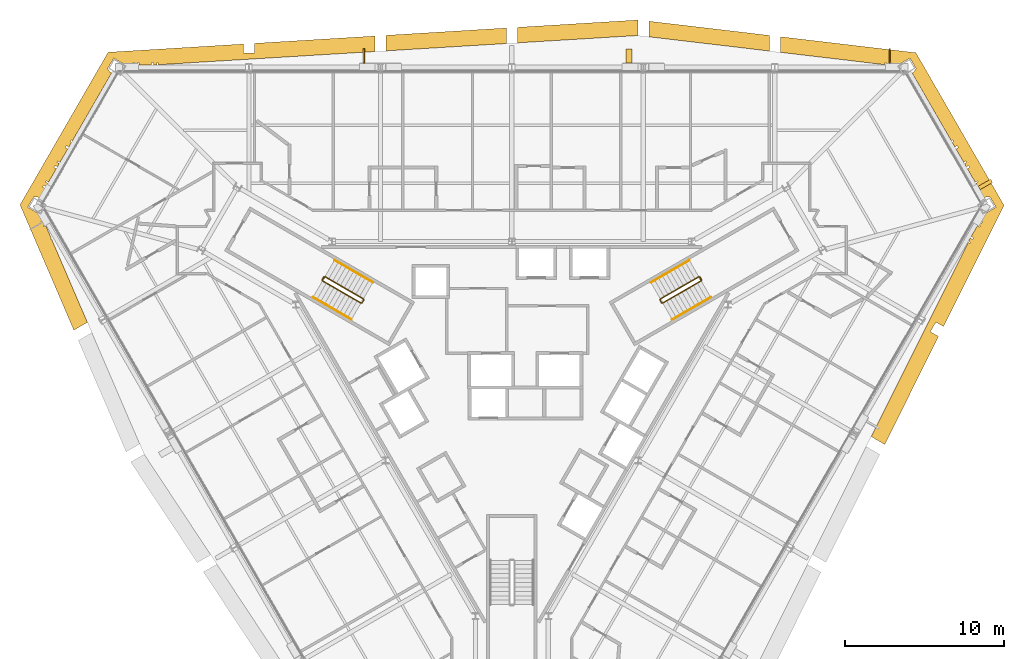
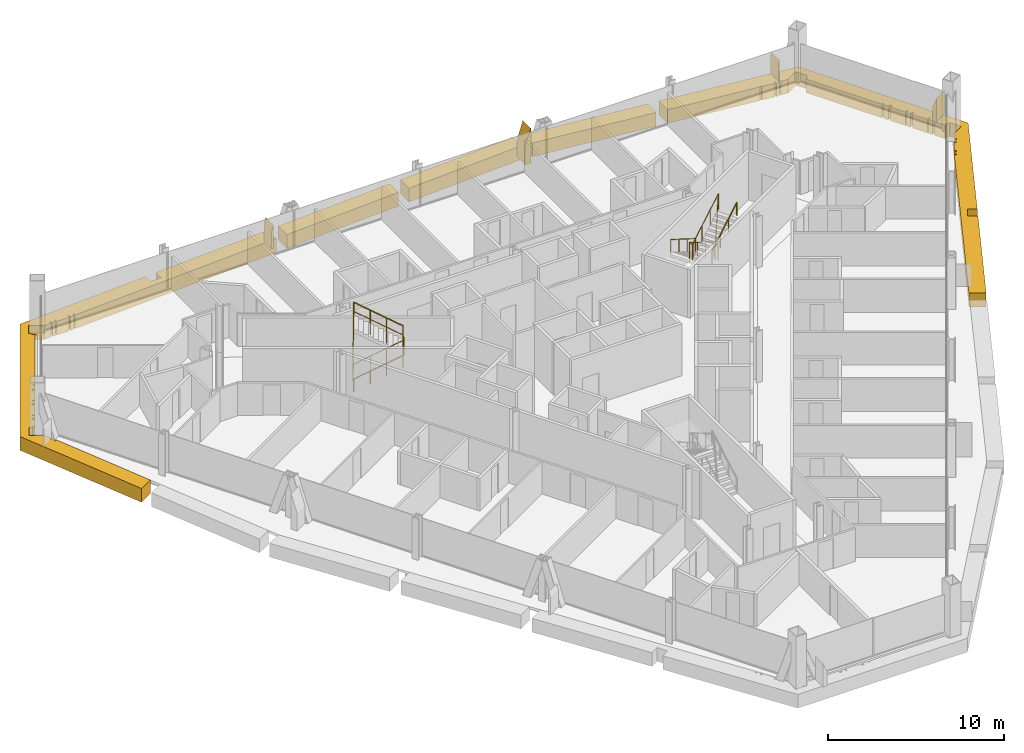
# One storey, part 17 of 17: 9 coverings, 6 railings.
"""IFC4 building model written with IfcOpenShell, lengths in metres."""

from ifc_helpers import new_model, si_unit, direction, frame, origin, origin_2d, place, context, subcontext, project, spatial, polyline, circle, outline, extrude, material, layer, layer_set, type_object, element, save


model = new_model("IFC4")

# Units and contexts
model_context = context("Model", 3, precision=1e-05, world=origin(), true_north=direction((0.0, 1.0)))
body_context = subcontext(model_context, "Body", "Model", "MODEL_VIEW")
ifc_project = project(units=[si_unit("LENGTHUNIT", "METRE"), si_unit("AREAUNIT", "SQUARE_METRE"), si_unit("VOLUMEUNIT", "CUBIC_METRE"), si_unit("PLANEANGLEUNIT", "RADIAN"), si_unit("MASSUNIT", "GRAM", prefix="KILO")], contexts=[model_context])

# Site, building, storey
site_placement = place(None, origin())
site = spatial("IfcSite", under=ifc_project, at=site_placement, CompositionType="ELEMENT")
building_placement = place(site_placement, origin())
building = spatial("IfcBuilding", under=site, at=building_placement, Name="Verrane Prism Tower", CompositionType="ELEMENT")
storey_placement = place(building_placement, frame((0.0, 0.0, 139.60009765625)))
storey = spatial("IfcBuildingStorey", under=building, at=storey_placement, Name="L34", CompositionType="ELEMENT", Elevation=139.60009765625)

# Railings
ifc_material_1 = material(Name="Steel A36 rail and posts, no infill", Category="steel")
railing_type_1 = type_object("IfcRailingType", Name="Stair guard 1100 steel rail and posts", PredefinedType="GUARDRAIL", material=ifc_material_1)
railing_1_placement = place(storey_placement, frame((11.78955078125, 6.97998046875, 0.16357421875)))
element("IfcRailing", 1, at=railing_1_placement, inside=storey, type_object=railing_type_1, Name="Stair 1 guard", PredefinedType="GUARDRAIL", context=body_context, shape_type="SweptSolid", body=[
    extrude(circle(Radius=0.02392578125, at=origin_2d()), frame((0.0, 0.0, 1.076171875), z_axis=(-0.747693913401, -0.431738279637, 0.504535300807), x_axis=(0.500049511043, -0.865996816683, 0.0)), (0.0, 0.0, 1.0), 3.2431640625),
    extrude(circle(Radius=0.02392578125, at=origin_2d()), frame((-2.4248046875, -1.400146484375, 2.71240234375), z_axis=(-0.259601060869, -0.965715946433, 0.0), x_axis=(0.965715946433, -0.259601060869, 0.0)), (0.0, 0.0, 1.0), 0.070556640625),
    extrude(circle(Radius=0.02392578125, at=origin_2d()), frame((-2.443115234375, -1.46826171875, 2.71240234375), z_axis=(0.499158860599, -0.866510491504, 0.0), x_axis=(0.866510491504, 0.499158860599, 0.0)), (0.0, 0.0, 1.0), 0.199951171875),
    extrude(circle(Radius=0.02392578125, at=origin_2d()), frame((-2.34326171875, -1.6416015625, 2.71240234375), z_axis=(0.383070988865, -0.102608300589, 0.918002262601), x_axis=(0.258736085224, 0.965948051503, 0.0)), (0.0, 0.0, 1.0), 0.178466796875),
    extrude(circle(Radius=0.02392578125, at=origin_2d()), frame((-2.27490234375, -1.659912109375, 2.8759765625), z_axis=(0.747693913401, 0.431738279637, 0.504535300807), x_axis=(-0.500049511043, 0.865996816683, 0.0)), (0.0, 0.0, 1.0), 3.2431640625),
    extrude(circle(Radius=0.02392578125, at=origin_2d()), frame((0.14990234375, -0.259765625, 4.51220703125), z_axis=(-0.022595193939, 0.066906128161, -0.9975033971), x_axis=(-0.947430582667, -0.3199613899, 0.0)), (0.0, 0.0, 1.0), 3.60888671875),
    extrude(circle(Radius=0.02392578125, at=origin_2d()), frame((0.068359375, -0.018310546875, 0.91259765625), z_axis=(0.499158860599, -0.866510491504, 0.0), x_axis=(0.866510491504, 0.499158860599, 0.0)), (0.0, 0.0, 1.0), 0.199951171875),
    extrude(circle(Radius=0.02099609375, at=origin_2d()), origin(), (0.0, 0.0, 1.0), 1.052001953125),
    extrude(circle(Radius=0.02099609375, at=origin_2d()), frame((-0.808349609375, -0.466796875, 0.54541015625)), (0.0, 0.0, 1.0), 1.052001953125),
    extrude(circle(Radius=0.02099609375, at=origin_2d()), frame((-1.616455078125, -0.933349609375, 1.0908203125)), (0.0, 0.0, 1.0), 1.052001953125),
    extrude(circle(Radius=0.02099609375, at=origin_2d()), frame((-2.4248046875, -1.400146484375, 1.63623046875)), (0.0, 0.0, 1.0), 1.052001953125),
    extrude(circle(Radius=0.02099609375, at=origin_2d()), frame((-2.443115234375, -1.46826171875, 1.63623046875)), (0.0, 0.0, 1.0), 1.052001953125),
    extrude(circle(Radius=0.02099609375, at=origin_2d()), frame((-2.34326171875, -1.6416015625, 1.63623046875)), (0.0, 0.0, 1.0), 1.052001953125),
    extrude(circle(Radius=0.02099609375, at=origin_2d()), frame((-2.27490234375, -1.659912109375, 1.800048828125)), (0.0, 0.0, 1.0), 1.052001953125),
    extrude(circle(Radius=0.02099609375, at=origin_2d()), frame((-1.466552734375, -1.193115234375, 2.345458984375)), (0.0, 0.0, 1.0), 1.052001953125),
    extrude(circle(Radius=0.02099609375, at=origin_2d()), frame((-0.658447265625, -0.7265625, 2.890869140625)), (0.0, 0.0, 1.0), 1.052001953125),
    extrude(circle(Radius=0.02099609375, at=origin_2d()), frame((0.14990234375, -0.259765625, 3.436279296875)), (0.0, 0.0, 1.0), 1.052001953125),
    extrude(circle(Radius=0.02099609375, at=origin_2d()), frame((0.12939453125, -0.199462890625, 2.536376953125)), (0.0, 0.0, 1.0), 1.052001953125),
    extrude(circle(Radius=0.02099609375, at=origin_2d()), frame((0.109130859375, -0.13916015625, 1.63623046875)), (0.0, 0.0, 1.0), 1.052001953125),
    extrude(circle(Radius=0.02099609375, at=origin_2d()), frame((0.0888671875, -0.07861328125, 0.736328125)), (0.0, 0.0, 1.0), 1.052001953125),
    extrude(circle(Radius=0.02099609375, at=origin_2d()), frame((0.068359375, -0.018310546875, -0.16357421875)), (0.0, 0.0, 1.0), 1.052001953125),
    extrude(circle(Radius=0.02099609375, at=origin_2d()), frame((0.168212890625, -0.191650390625, -0.16357421875)), (0.0, 0.0, 1.0), 1.052001953125),
])
railing_2_placement = place(storey_placement, frame((-11.939453125, 6.72021484375, 0.16357421875)))
element("IfcRailing", 2, at=railing_2_placement, inside=storey, type_object=railing_type_1, Name="Stair 2 guard", PredefinedType="GUARDRAIL", context=body_context, shape_type="SweptSolid", body=[
    extrude(circle(Radius=0.02392578125, at=origin_2d()), frame((0.0, 0.0, 1.076171875), z_axis=(0.747693913401, -0.431738279637, 0.504535300807), x_axis=(0.500049511043, 0.865996816683, 0.0)), (0.0, 0.0, 1.0), 3.2431640625),
    extrude(circle(Radius=0.02392578125, at=origin_2d()), frame((2.4248046875, -1.400146484375, 2.71240234375), z_axis=(0.965948051503, 0.258736085224, 0.0), x_axis=(-0.258736085224, 0.965948051503, 0.0)), (0.0, 0.0, 1.0), 0.07080078125),
    extrude(circle(Radius=0.02392578125, at=origin_2d()), frame((2.4931640625, -1.3818359375, 2.71240234375), z_axis=(0.499158860599, 0.866510491504, 0.0), x_axis=(-0.866510491504, 0.499158860599, 0.0)), (0.0, 0.0, 1.0), 0.199951171875),
    extrude(circle(Radius=0.02392578125, at=origin_2d()), frame((2.593017578125, -1.20849609375, 2.71240234375), z_axis=(-0.10266202204, 0.381902721988, 0.918482890515), x_axis=(-0.965715946433, -0.259601060869, 0.0)), (0.0, 0.0, 1.0), 0.178466796875),
    extrude(circle(Radius=0.02392578125, at=origin_2d()), frame((2.57470703125, -1.140380859375, 2.8759765625), z_axis=(-0.747693913401, 0.431738279637, 0.504535300807), x_axis=(-0.500049511043, -0.865996816683, 0.0)), (0.0, 0.0, 1.0), 3.2431640625),
    extrude(circle(Radius=0.02392578125, at=origin_2d()), frame((0.14990234375, 0.259765625, 4.51220703125), z_axis=(-0.046610908435, -0.053105316576, -0.997500500534), x_axis=(0.751567565678, -0.659656118156, 0.0)), (0.0, 0.0, 1.0), 3.60888671875),
    extrude(circle(Radius=0.02392578125, at=origin_2d()), frame((-0.018310546875, 0.068115234375, 0.91259765625), z_axis=(0.499158860599, 0.866510491504, 0.0), x_axis=(-0.866510491504, 0.499158860599, 0.0)), (0.0, 0.0, 1.0), 0.199951171875),
    extrude(circle(Radius=0.02099609375, at=origin_2d()), origin(), (0.0, 0.0, 1.0), 1.052001953125),
    extrude(circle(Radius=0.02099609375, at=origin_2d()), frame((0.808349609375, -0.466796875, 0.54541015625)), (0.0, 0.0, 1.0), 1.052001953125),
    extrude(circle(Radius=0.02099609375, at=origin_2d()), frame((1.616455078125, -0.933349609375, 1.0908203125)), (0.0, 0.0, 1.0), 1.052001953125),
    extrude(circle(Radius=0.02099609375, at=origin_2d()), frame((2.4248046875, -1.400146484375, 1.63623046875)), (0.0, 0.0, 1.0), 1.052001953125),
    extrude(circle(Radius=0.02099609375, at=origin_2d()), frame((2.4931640625, -1.3818359375, 1.63623046875)), (0.0, 0.0, 1.0), 1.052001953125),
    extrude(circle(Radius=0.02099609375, at=origin_2d()), frame((2.593017578125, -1.20849609375, 1.63623046875)), (0.0, 0.0, 1.0), 1.052001953125),
    extrude(circle(Radius=0.02099609375, at=origin_2d()), frame((2.57470703125, -1.140380859375, 1.800048828125)), (0.0, 0.0, 1.0), 1.052001953125),
    extrude(circle(Radius=0.02099609375, at=origin_2d()), frame((1.766357421875, -0.673583984375, 2.345458984375)), (0.0, 0.0, 1.0), 1.052001953125),
    extrude(circle(Radius=0.02099609375, at=origin_2d()), frame((0.958251953125, -0.20703125, 2.890869140625)), (0.0, 0.0, 1.0), 1.052001953125),
    extrude(circle(Radius=0.02099609375, at=origin_2d()), frame((0.14990234375, 0.259765625, 3.436279296875)), (0.0, 0.0, 1.0), 1.052001953125),
    extrude(circle(Radius=0.02099609375, at=origin_2d()), frame((0.10791015625, 0.2119140625, 2.536376953125)), (0.0, 0.0, 1.0), 1.052001953125),
    extrude(circle(Radius=0.02099609375, at=origin_2d()), frame((0.06591796875, 0.1640625, 1.63623046875)), (0.0, 0.0, 1.0), 1.052001953125),
    extrude(circle(Radius=0.02099609375, at=origin_2d()), frame((0.023681640625, 0.115966796875, 0.736328125)), (0.0, 0.0, 1.0), 1.052001953125),
    extrude(circle(Radius=0.02099609375, at=origin_2d()), frame((-0.018310546875, 0.068115234375, -0.16357421875)), (0.0, 0.0, 1.0), 1.052001953125),
    extrude(circle(Radius=0.02099609375, at=origin_2d()), frame((0.08154296875, 0.241455078125, -0.16357421875)), (0.0, 0.0, 1.0), 1.052001953125),
])
ifc_material_2 = material(Name="Steel A36 tube", Category="steel")
railing_type_2 = type_object("IfcRailingType", Name="Stair handrail 900 steel tube", PredefinedType="HANDRAIL", material=ifc_material_2)
railing_3_placement = place(storey_placement, frame((11.189453125, 8.01904296875, 0.16357421875)))
element("IfcRailing", 3, at=railing_3_placement, inside=storey, type_object=railing_type_2, Name="Stair 1 handrail", PredefinedType="HANDRAIL", context=body_context, shape_type="SweptSolid", body=[
    extrude(circle(Radius=0.02392578125, at=origin_2d()), frame((0.0, 0.0, 0.8759765625), z_axis=(-0.74771821388, -0.431677027627, 0.504551698492), x_axis=(0.49998411664, -0.866034573852, 0.0)), (0.0, 0.0, 1.0), 3.242919921875),
    extrude(circle(Radius=0.02099609375, at=origin_2d()), origin(), (0.0, 0.0, 1.0), 0.851806640625),
    extrude(circle(Radius=0.02099609375, at=origin_2d()), frame((-0.808349609375, -0.466552734375, 0.54541015625)), (0.0, 0.0, 1.0), 0.851806640625),
    extrude(circle(Radius=0.02099609375, at=origin_2d()), frame((-1.616455078125, -0.933349609375, 1.0908203125)), (0.0, 0.0, 1.0), 0.851806640625),
    extrude(circle(Radius=0.02099609375, at=origin_2d()), frame((-2.4248046875, -1.39990234375, 1.63623046875)), (0.0, 0.0, 1.0), 0.851806640625),
])
railing_4_placement = place(storey_placement, frame((10.11474609375, 4.28076171875, 1.963623046875)))
element("IfcRailing", 4, at=railing_4_placement, inside=storey, type_object=railing_type_2, Name="Stair 1 handrail", PredefinedType="HANDRAIL", context=body_context, shape_type="SweptSolid", body=[
    extrude(circle(Radius=0.02392578125, at=origin_2d()), frame((0.0, 0.0, 0.8759765625), z_axis=(0.747693913401, 0.431738279637, 0.504535300807), x_axis=(-0.500049511043, 0.865996816683, 0.0)), (0.0, 0.0, 1.0), 3.2431640625),
    extrude(circle(Radius=0.02099609375, at=origin_2d()), origin(), (0.0, 0.0, 1.0), 0.851806640625),
    extrude(circle(Radius=0.02099609375, at=origin_2d()), frame((0.808349609375, 0.466796875, 0.54541015625)), (0.0, 0.0, 1.0), 0.851806640625),
    extrude(circle(Radius=0.02099609375, at=origin_2d()), frame((1.616455078125, 0.933349609375, 1.0908203125)), (0.0, 0.0, 1.0), 0.851806640625),
    extrude(circle(Radius=0.02099609375, at=origin_2d()), frame((2.4248046875, 1.400146484375, 1.63623046875)), (0.0, 0.0, 1.0), 0.851806640625),
])
railing_5_placement = place(storey_placement, frame((-12.53955078125, 5.680908203125, 0.16357421875)))
element("IfcRailing", 5, at=railing_5_placement, inside=storey, type_object=railing_type_2, Name="Stair 2 handrail", PredefinedType="HANDRAIL", context=body_context, shape_type="SweptSolid", body=[
    extrude(circle(Radius=0.02392578125, at=origin_2d()), frame((0.0, 0.0, 0.8759765625), z_axis=(0.747693913401, -0.431738279637, 0.504535300807), x_axis=(0.500049511043, 0.865996816683, 0.0)), (0.0, 0.0, 1.0), 3.2431640625),
    extrude(circle(Radius=0.02099609375, at=origin_2d()), origin(), (0.0, 0.0, 1.0), 0.851806640625),
    extrude(circle(Radius=0.02099609375, at=origin_2d()), frame((0.808349609375, -0.466796875, 0.54541015625)), (0.0, 0.0, 1.0), 0.851806640625),
    extrude(circle(Radius=0.02099609375, at=origin_2d()), frame((1.616455078125, -0.933349609375, 1.0908203125)), (0.0, 0.0, 1.0), 0.851806640625),
    extrude(circle(Radius=0.02099609375, at=origin_2d()), frame((2.4248046875, -1.400146484375, 1.63623046875)), (0.0, 0.0, 1.0), 0.851806640625),
])
railing_6_placement = place(storey_placement, frame((-8.7646484375, 6.619140625, 1.963623046875)))
element("IfcRailing", 6, at=railing_6_placement, inside=storey, type_object=railing_type_2, Name="Stair 2 handrail", PredefinedType="HANDRAIL", context=body_context, shape_type="SweptSolid", body=[
    extrude(circle(Radius=0.02392578125, at=origin_2d()), frame((0.0, 0.0, 0.8759765625), z_axis=(-0.74771821388, 0.431677027627, 0.504551698492), x_axis=(-0.49998411664, -0.866034573852, 0.0)), (0.0, 0.0, 1.0), 3.242919921875),
    extrude(circle(Radius=0.02099609375, at=origin_2d()), origin(), (0.0, 0.0, 1.0), 0.851806640625),
    extrude(circle(Radius=0.02099609375, at=origin_2d()), frame((-0.808349609375, 0.466552734375, 0.54541015625)), (0.0, 0.0, 1.0), 0.851806640625),
    extrude(circle(Radius=0.02099609375, at=origin_2d()), frame((-1.616455078125, 0.933349609375, 1.0908203125)), (0.0, 0.0, 1.0), 0.851806640625),
    extrude(circle(Radius=0.02099609375, at=origin_2d()), frame((-2.4248046875, 1.39990234375, 1.63623046875)), (0.0, 0.0, 1.0), 0.851806640625),
])

# Coverings
ifc_material_3 = material(Name="Warm limestone cladding", Category="masonry")
ifc_layer_1 = layer(ifc_material_3, 0.89990234375)
ifc_layer_set_1 = layer_set([ifc_layer_1], Name="Stone brace fin 900")
covering_type_1 = type_object("IfcCoveringType", Name="Stone brace fin 900", PredefinedType="CLADDING", material=ifc_layer_set_1)
covering_1_placement = place(storey_placement, frame((23.7890625, 20.89404296875, 0.0), z_axis=(0.0, 0.0, 1.0), x_axis=(1.0, 0.0, 0.0)))
element("IfcCovering", 7, at=covering_1_placement, inside=storey, type_object=covering_type_1, Name="Stone brace fin N1 L34", PredefinedType="CLADDING", context=body_context, shape_type="SweptSolid", body=[
    extrude(outline(polyline([(0.0, 0.0), (0.0654296875, 0.0), (0.0654296875, 1.438232421875), (0.0, 1.233642578125), (0.0, 0.0)])), frame((0.0, 0.449951171875, 0.0), z_axis=(0.0, -1.0, 0.0), x_axis=(1.0, 0.0, 0.0)), (0.0, 0.0, 1.0), 0.89990234375),
])
covering_2_placement = place(storey_placement, frame((7.20068359375, 20.89404296875, 0.0), z_axis=(0.0, 0.0, 1.0), x_axis=(1.0, 0.0, 0.0)))
element("IfcCovering", 8, at=covering_2_placement, inside=storey, type_object=covering_type_1, Name="Stone brace fin N3 L34", PredefinedType="CLADDING", context=body_context, shape_type="SweptSolid", body=[
    extrude(outline(polyline([(0.0, 0.0), (0.377685546875, 0.0), (0.377685546875, 2.404541015625), (0.0, 1.228759765625), (0.0, 0.0)])), frame((0.0, 0.449951171875, 0.0), z_axis=(0.0, -1.0, 0.0), x_axis=(1.0, 0.0, 0.0)), (0.0, 0.0, 1.0), 0.89990234375),
])
covering_3_placement = place(storey_placement, frame((-9.379638671875, 20.89404296875, 0.0), z_axis=(0.0, 0.0, 1.0), x_axis=(1.0, 0.0, 0.0)))
element("IfcCovering", 9, at=covering_3_placement, inside=storey, type_object=covering_type_1, Name="Stone brace fin N5 L34", PredefinedType="CLADDING", context=body_context, shape_type="SweptSolid", body=[
    extrude(outline(polyline([(0.0, 0.0), (0.114501953125, 0.0), (0.114501953125, 1.591064453125), (0.0, 1.233154296875), (0.0, 0.0)])), frame((0.0, 0.449951171875, 0.0), z_axis=(0.0, -1.0, 0.0), x_axis=(1.0, 0.0, 0.0)), (0.0, 0.0, 1.0), 0.89990234375),
])
covering_4_placement = place(storey_placement, frame((29.802001953125, 12.911376953125, 0.0), z_axis=(0.0, 0.0, 1.0), x_axis=(0.499235479965, -0.86646634992, 0.0)))
element("IfcCovering", 10, at=covering_4_placement, inside=storey, type_object=covering_type_1, Name="Stone brace fin NE1 L34", PredefinedType="CLADDING", context=body_context, shape_type="SweptSolid", body=[
    extrude(outline(polyline([(0.0, 0.0), (0.24609375, 0.0), (0.24609375, 1.62548828125), (0.0, 0.993896484375), (0.0, 0.0)])), frame((0.0, 0.449951171875, 0.0), z_axis=(0.0, -1.0, 0.0), x_axis=(1.0, 0.0, 0.0)), (0.0, 0.0, 1.0), 0.89990234375),
])
ifc_material_4 = material(Name="Warm limestone cladding", Category="masonry")
ifc_layer_2 = layer(ifc_material_4, 0.449951171875)
ifc_layer_set_2 = layer_set([ifc_layer_2], Name="Stone spandrel band 450")
covering_type_2 = type_object("IfcCoveringType", Name="Stone spandrel band 450", PredefinedType="CLADDING", material=ifc_layer_set_2)
covering_5_placement = place(storey_placement, frame((0.0, 0.0, -0.9501953125)))
element("IfcCovering", 11, at=covering_5_placement, inside=storey, type_object=covering_type_2, Name="Stone spandrel band L34 part 1", PredefinedType="CLADDING", context=body_context, shape_type="SweptSolid", body=[
    extrude(outline(polyline([(22.37255859375, 20.486083984375), (22.60595703125, 20.45849609375), (22.60595703125, 20.489990234375), (22.71875, 20.489990234375), (22.71875, 20.445068359375), (23.52587890625, 20.349609375), (23.52587890625, 20.489990234375), (23.5966796875, 20.489990234375), (23.5966796875, 20.34130859375), (23.748291015625, 20.323486328125), (23.7890625, 20.323486328125), (23.7890625, 20.489990234375), (23.898681640625, 20.489990234375), (23.898681640625, 20.323486328125), (24.35107421875, 20.323486328125), (25.105712890625, 20.759033203125), (25.485595703125, 20.100830078125), (25.466796875, 20.08984375), (25.352783203125, 19.8955078125), (25.23828125, 19.829345703125), (27.722412109375, 15.526611328125), (27.764404296875, 15.603271484375), (27.8466796875, 15.558349609375), (27.77734375, 15.431640625), (27.934814453125, 15.15869140625), (28.07958984375, 15.2421875), (28.148681640625, 15.122314453125), (28.00390625, 15.0390625), (28.494384765625, 14.189697265625), (28.638671875, 14.272705078125), (28.68017578125, 14.20068359375), (28.5361328125, 14.117431640625), (28.655517578125, 13.910400390625), (28.799560546875, 13.993408203125), (28.86865234375, 13.873779296875), (28.724609375, 13.790771484375), (29.215087890625, 12.94140625), (29.358642578125, 13.024169921875), (29.400146484375, 12.951904296875), (29.256591796875, 12.869140625), (29.37451171875, 12.6650390625), (29.51806640625, 12.747802734375), (29.585205078125, 12.631103515625), (29.44189453125, 12.548583984375), (29.790771484375, 11.944091796875), (29.901611328125, 12.008056640625), (30.126708984375, 12.008056640625), (30.145751953125, 12.01904296875), (30.525634765625, 11.36083984375), (29.777099609375, 10.9287109375), (29.548583984375, 10.533203125), (29.690673828125, 10.45068359375), (29.635498046875, 10.355712890625), (29.493896484375, 10.43798828125), (29.39794921875, 10.27197265625), (29.539794921875, 10.190185546875), (29.50439453125, 10.128662109375), (29.362548828125, 10.210693359375), (28.959716796875, 9.5126953125), (29.10205078125, 9.4306640625), (29.045654296875, 9.3330078125), (28.907470703125, 9.41259765625), (28.810546875, 9.21826171875), (28.92724609375, 9.1318359375), (28.8828125, 9.071533203125), (28.776611328125, 9.150146484375), (22.662353515625, -3.105224609375), (23.510986328125, -3.59521484375), (26.906494140625, 3.2109375), (26.38818359375, 3.51025390625), (26.73828125, 4.116455078125), (27.219482421875, 3.83837890625), (31.032958984375, 11.482177734375), (25.47802734375, 21.103759765625), (16.93408203125, 22.114013671875), (16.93408203125, 21.12890625), (22.363525390625, 20.487060546875), (22.372314453125, 20.488037109375), (22.37255859375, 20.486083984375)])), origin(), (0.0, 0.0, 1.0), 0.9501953125),
])
covering_6_placement = place(storey_placement, frame((0.0, 0.0, -0.9501953125)))
element("IfcCovering", 12, at=covering_6_placement, inside=storey, type_object=covering_type_2, Name="Stone spandrel band L34 part 2", PredefinedType="CLADDING", context=body_context, shape_type="SweptSolid", body=[
    extrude(outline(polyline([(-26.765380859375, 4.100830078125), (-29.020263671875, 9.34765625), (-29.045654296875, 9.3330078125), (-29.10205078125, 9.4306640625), (-29.065185546875, 9.451904296875), (-29.385498046875, 10.197265625), (-29.50439453125, 10.128662109375), (-29.539794921875, 10.190185546875), (-29.413818359375, 10.262939453125), (-29.474609375, 10.40478515625), (-29.493896484375, 10.43798828125), (-29.635498046875, 10.355712890625), (-29.690673828125, 10.45068359375), (-29.548583984375, 10.533203125), (-29.777099609375, 10.9287109375), (-30.525634765625, 11.36083984375), (-30.145751953125, 12.01904296875), (-30.126708984375, 12.008056640625), (-29.901611328125, 12.008056640625), (-29.790771484375, 11.944091796875), (-29.44189453125, 12.548583984375), (-29.585205078125, 12.631103515625), (-29.51806640625, 12.747802734375), (-29.37451171875, 12.6650390625), (-29.256591796875, 12.869140625), (-29.400146484375, 12.951904296875), (-29.358642578125, 13.024169921875), (-29.215087890625, 12.94140625), (-28.724609375, 13.790771484375), (-28.86865234375, 13.873779296875), (-28.799560546875, 13.993408203125), (-28.655517578125, 13.910400390625), (-28.5361328125, 14.117431640625), (-28.68017578125, 14.20068359375), (-28.638671875, 14.272705078125), (-28.494384765625, 14.189697265625), (-28.00390625, 15.0390625), (-28.148681640625, 15.122314453125), (-28.07958984375, 15.2421875), (-27.934814453125, 15.15869140625), (-27.77734375, 15.431640625), (-27.8466796875, 15.558349609375), (-27.764404296875, 15.603271484375), (-27.722412109375, 15.526611328125), (-25.23828125, 19.829345703125), (-25.352783203125, 19.8955078125), (-25.466796875, 20.08984375), (-25.485595703125, 20.100830078125), (-25.105712890625, 20.759033203125), (-24.35107421875, 20.323486328125), (-23.898681640625, 20.323486328125), (-23.898681640625, 20.489990234375), (-23.7890625, 20.489990234375), (-23.7890625, 20.323486328125), (-23.5966796875, 20.323486328125), (-23.5966796875, 20.489990234375), (-23.52587890625, 20.489990234375), (-23.52587890625, 20.323486328125), (-22.71875, 20.323486328125), (-22.71875, 20.489990234375), (-22.60595703125, 20.489990234375), (-22.60595703125, 20.328369140625), (-22.388916015625, 20.341552734375), (-22.372314453125, 20.488037109375), (-22.297607421875, 20.4794921875), (-22.31298828125, 20.34619140625), (-8.64208984375, 21.1787109375), (-8.64208984375, 22.15869140625), (-16.234130859375, 21.6962890625), (-16.234130859375, 21.101806640625), (-16.93408203125, 21.101806640625), (-16.93408203125, 21.653564453125), (-25.460205078125, 21.13427734375), (-31.015380859375, 11.5126953125), (-27.618408203125, 3.6083984375), (-26.765380859375, 4.100830078125)])), origin(), (0.0, 0.0, 1.0), 0.9501953125),
])
covering_7_placement = place(storey_placement, frame((0.0, 0.0, -0.9501953125)))
element("IfcCovering", 13, at=covering_7_placement, inside=storey, type_object=covering_type_2, Name="Stone spandrel band L34 part 6", PredefinedType="CLADDING", context=body_context, shape_type="SweptSolid", body=[
    extrude(outline(polyline([(8.64208984375, 22.109375), (16.234130859375, 21.2119140625), (16.234130859375, 22.19677734375), (8.64208984375, 23.09423828125), (8.64208984375, 22.109375)])), origin(), (0.0, 0.0, 1.0), 0.9501953125),
])
covering_8_placement = place(storey_placement, frame((0.0, 0.0, -0.9501953125)))
element("IfcCovering", 14, at=covering_8_placement, inside=storey, type_object=covering_type_2, Name="Stone spandrel band L34 part 11", PredefinedType="CLADDING", context=body_context, shape_type="SweptSolid", body=[
    extrude(outline(polyline([(0.35009765625, 22.706298828125), (0.35009765625, 21.7265625), (7.94189453125, 22.18896484375), (7.94189453125, 23.168701171875), (0.35009765625, 22.706298828125)])), origin(), (0.0, 0.0, 1.0), 0.9501953125),
])
covering_9_placement = place(storey_placement, frame((0.0, 0.0, -0.9501953125)))
element("IfcCovering", 15, at=covering_9_placement, inside=storey, type_object=covering_type_2, Name="Stone spandrel band L34 part 12", PredefinedType="CLADDING", context=body_context, shape_type="SweptSolid", body=[
    extrude(outline(polyline([(-7.94189453125, 22.201416015625), (-7.94189453125, 21.221435546875), (-0.35009765625, 21.683837890625), (-0.35009765625, 22.663818359375), (-7.94189453125, 22.201416015625)])), origin(), (0.0, 0.0, 1.0), 0.9501953125),
])

save(model, "model.ifc")
